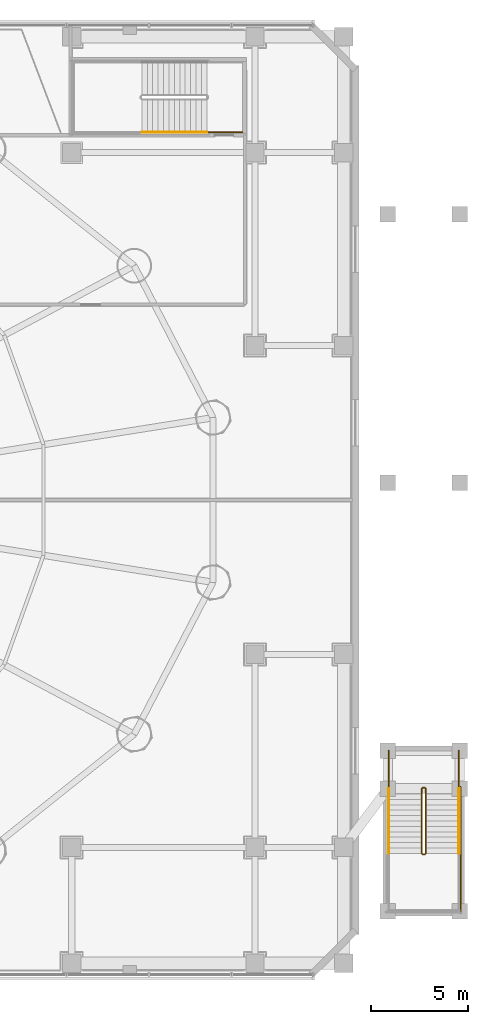
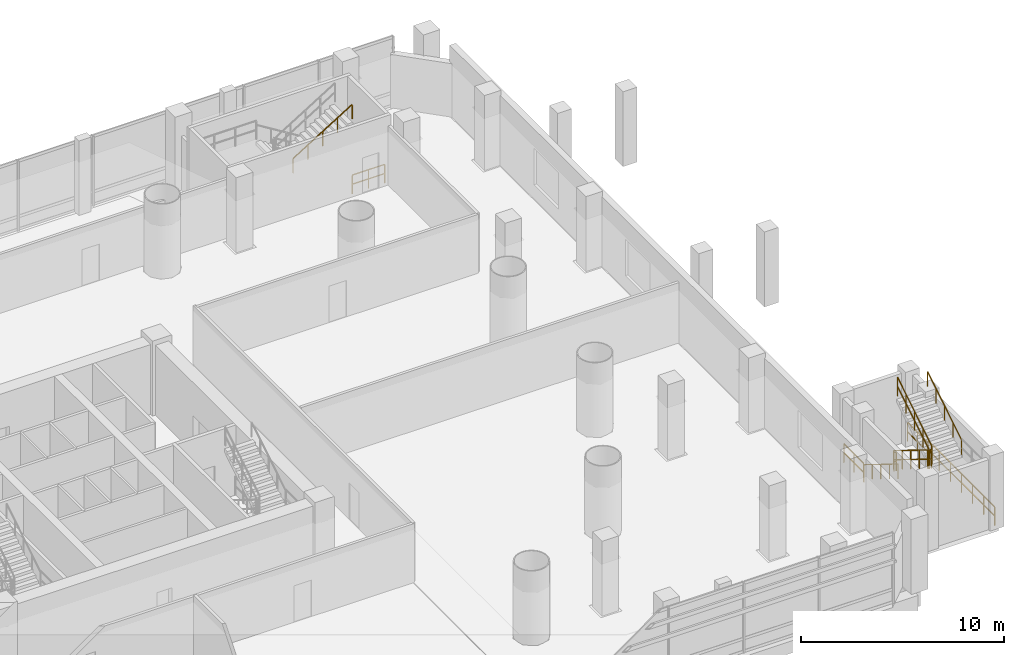
# One storey, part 35 of 36: 11 railings.
"""IFC4 building model written with IfcOpenShell, lengths in metres."""

from ifc_helpers import new_model, si_unit, direction, frame, origin, origin_2d, place, context, subcontext, project, spatial, rectangle, extrude, material, type_object, element, save


model = new_model("IFC4")

# Units and contexts
model_context = context("Model", 3, precision=1e-05, world=origin(), true_north=direction((-0.2419218956, 0.970295726276)))
body_context = subcontext(model_context, "Body", "Model", "MODEL_VIEW")
ifc_project = project(units=[si_unit("LENGTHUNIT", "METRE"), si_unit("AREAUNIT", "SQUARE_METRE"), si_unit("VOLUMEUNIT", "CUBIC_METRE"), si_unit("PLANEANGLEUNIT", "RADIAN"), si_unit("MASSUNIT", "GRAM", prefix="KILO")], contexts=[model_context])

# Site, building, storey
site_placement = place(None, origin())
site = spatial("IfcSite", under=ifc_project, at=site_placement, CompositionType="ELEMENT")
building_placement = place(site_placement, origin())
building = spatial("IfcBuilding", under=site, at=building_placement, Name="Cobrevalo Terracotta Tower", CompositionType="ELEMENT")
storey_placement = place(building_placement, frame((0.0, 0.0, 5.39990234375)))
storey = spatial("IfcBuildingStorey", under=building, at=storey_placement, Name="L01", CompositionType="ELEMENT", Elevation=5.39990234375)

# Railings
ifc_material_1 = material(Name="Brushed stainless steel", Category="steel")
railing_type_1 = type_object("IfcRailingType", Name="Stainless Steel Stair Handrail 900", PredefinedType="HANDRAIL", material=ifc_material_1)
railing_1_placement = place(storey_placement, frame((61.139892578125, 45.85009765625, 2.423095703125)))
element("IfcRailing", 1, at=railing_1_placement, inside=storey, type_object=railing_type_1, Name="L01 ST-P2 stair handrail 2", PredefinedType="HANDRAIL", context=body_context, shape_type="SweptSolid", body=[
    extrude(rectangle(XDim=0.048095703125, YDim=0.048095703125, at=origin_2d()), frame((0.0, 0.0, 0.8759765625), z_axis=(0.850623216509, 0.0, 0.525775754039), x_axis=(0.0, 1.0, 0.0)), (0.0, 0.0, 1.0), 3.9501953125),
    extrude(rectangle(XDim=0.0419921875, YDim=0.0419921875, at=origin_2d()), origin(), (0.0, 0.0, 1.0), 0.851806640625),
    extrude(rectangle(XDim=0.0419921875, YDim=0.0419921875, at=origin_2d()), frame((0.840087890625, 0.0, 0.519287109375)), (0.0, 0.0, 1.0), 0.851806640625),
    extrude(rectangle(XDim=0.0419921875, YDim=0.0419921875, at=origin_2d()), frame((1.68017578125, 0.0, 1.03857421875)), (0.0, 0.0, 1.0), 0.851806640625),
    extrude(rectangle(XDim=0.0419921875, YDim=0.0419921875, at=origin_2d()), frame((2.52001953125, 0.0, 1.5576171875)), (0.0, 0.0, 1.0), 0.851806640625),
    extrude(rectangle(XDim=0.0419921875, YDim=0.0419921875, at=origin_2d()), frame((3.360107421875, 0.0, 2.076904296875)), (0.0, 0.0, 1.0), 0.851806640625),
])
railing_2_placement = place(storey_placement, frame((73.929931640625, 11.85009765625, 0.173095703125)))
element("IfcRailing", 2, at=railing_2_placement, inside=storey, type_object=railing_type_1, Name="L01 ST-EXT-E stair handrail 1", PredefinedType="HANDRAIL", context=body_context, shape_type="SweptSolid", body=[
    extrude(rectangle(XDim=0.048095703125, YDim=0.048095703125, at=origin_2d()), frame((0.0, 0.0, 0.8759765625), z_axis=(0.0, -0.850623216509, 0.525775754039), x_axis=(1.0, 0.0, 0.0)), (0.0, 0.0, 1.0), 3.9501953125),
    extrude(rectangle(XDim=0.0419921875, YDim=0.0419921875, at=origin_2d()), origin(), (0.0, 0.0, 1.0), 0.851806640625),
    extrude(rectangle(XDim=0.0419921875, YDim=0.0419921875, at=origin_2d()), frame((0.0, -0.840087890625, 0.519287109375)), (0.0, 0.0, 1.0), 0.851806640625),
    extrude(rectangle(XDim=0.0419921875, YDim=0.0419921875, at=origin_2d()), frame((0.0, -1.68017578125, 1.03857421875)), (0.0, 0.0, 1.0), 0.851806640625),
    extrude(rectangle(XDim=0.0419921875, YDim=0.0419921875, at=origin_2d()), frame((0.0, -2.52001953125, 1.5576171875)), (0.0, 0.0, 1.0), 0.851806640625),
    extrude(rectangle(XDim=0.0419921875, YDim=0.0419921875, at=origin_2d()), frame((0.0, -3.360107421875, 2.076904296875)), (0.0, 0.0, 1.0), 0.851806640625),
])
railing_3_placement = place(storey_placement, frame((77.550048828125, 8.489990234375, 2.423095703125)))
element("IfcRailing", 3, at=railing_3_placement, inside=storey, type_object=railing_type_1, Name="L01 ST-EXT-E stair handrail 2", PredefinedType="HANDRAIL", context=body_context, shape_type="SweptSolid", body=[
    extrude(rectangle(XDim=0.048095703125, YDim=0.048095703125, at=origin_2d()), frame((0.0, 0.0, 0.8759765625), z_axis=(0.0, 0.850623216509, 0.525775754039), x_axis=(-1.0, 0.0, 0.0)), (0.0, 0.0, 1.0), 3.9501953125),
    extrude(rectangle(XDim=0.0419921875, YDim=0.0419921875, at=origin_2d()), origin(), (0.0, 0.0, 1.0), 0.851806640625),
    extrude(rectangle(XDim=0.0419921875, YDim=0.0419921875, at=origin_2d()), frame((0.0, 0.840087890625, 0.519287109375)), (0.0, 0.0, 1.0), 0.851806640625),
    extrude(rectangle(XDim=0.0419921875, YDim=0.0419921875, at=origin_2d()), frame((0.0, 1.68017578125, 1.03857421875)), (0.0, 0.0, 1.0), 0.851806640625),
    extrude(rectangle(XDim=0.0419921875, YDim=0.0419921875, at=origin_2d()), frame((0.0, 2.52001953125, 1.5576171875)), (0.0, 0.0, 1.0), 0.851806640625),
    extrude(rectangle(XDim=0.0419921875, YDim=0.0419921875, at=origin_2d()), frame((0.0, 3.360107421875, 2.076904296875)), (0.0, 0.0, 1.0), 0.851806640625),
])
ifc_material_2 = material(Name="Painted galvanized steel", Category="steel")
railing_type_2 = type_object("IfcRailingType", Name="Stair Well Guard Balustrade 1150", PredefinedType="GUARDRAIL", material=ifc_material_2)
railing_4_placement = place(storey_placement, frame((66.35009765625, 45.85009765625, 0.0)))
element("IfcRailing", 4, at=railing_4_placement, inside=storey, type_object=railing_type_2, Name="L01 ST-P2 stair guard 9", PredefinedType="GUARDRAIL", context=body_context, shape_type="SweptSolid", body=[
    extrude(rectangle(XDim=0.048095703125, YDim=0.048095703125, at=origin_2d()), frame((0.0, 0.0, 1.1259765625), z_axis=(-1.0, 0.0, 0.0), x_axis=(0.0, -1.0, 0.0)), (0.0, 0.0, 1.0), 1.85009765625),
    extrude(rectangle(XDim=0.048095703125, YDim=0.048095703125, at=origin_2d()), frame((0.0, 0.0, 0.574951171875), z_axis=(-1.0, 0.0, 0.0), x_axis=(0.0, -1.0, 0.0)), (0.0, 0.0, 1.0), 1.85009765625),
    extrude(rectangle(XDim=0.0419921875, YDim=0.0419921875, at=origin_2d()), origin(), (0.0, 0.0, 1.0), 1.101806640625),
    extrude(rectangle(XDim=0.0419921875, YDim=0.0419921875, at=origin_2d()), frame((-0.925048828125, 0.0, 0.0)), (0.0, 0.0, 1.0), 1.101806640625),
    extrude(rectangle(XDim=0.0419921875, YDim=0.0419921875, at=origin_2d()), frame((-1.85009765625, 0.0, 0.0)), (0.0, 0.0, 1.0), 1.101806640625),
])
railing_5_placement = place(storey_placement, frame((75.6298828125, 11.85009765625, 0.173095703125)))
element("IfcRailing", 5, at=railing_5_placement, inside=storey, type_object=railing_type_2, Name="L01 ST-EXT-E stair guard 1", PredefinedType="GUARDRAIL", context=body_context, shape_type="SweptSolid", body=[
    extrude(rectangle(XDim=0.048095703125, YDim=0.048095703125, at=origin_2d()), frame((0.0, 0.0, 1.1259765625), z_axis=(0.0, -0.850623216509, 0.525775754039), x_axis=(1.0, 0.0, 0.0)), (0.0, 0.0, 1.0), 3.9501953125),
    extrude(rectangle(XDim=0.048095703125, YDim=0.048095703125, at=origin_2d()), frame((0.0, 0.0, 0.574951171875), z_axis=(0.0, -0.850623216509, 0.525775754039), x_axis=(1.0, 0.0, 0.0)), (0.0, 0.0, 1.0), 3.9501953125),
    extrude(rectangle(XDim=0.0419921875, YDim=0.0419921875, at=origin_2d()), origin(), (0.0, 0.0, 1.0), 1.101806640625),
    extrude(rectangle(XDim=0.0419921875, YDim=0.0419921875, at=origin_2d()), frame((0.0, -0.840087890625, 0.519287109375)), (0.0, 0.0, 1.0), 1.101806640625),
    extrude(rectangle(XDim=0.0419921875, YDim=0.0419921875, at=origin_2d()), frame((0.0, -1.68017578125, 1.03857421875)), (0.0, 0.0, 1.0), 1.101806640625),
    extrude(rectangle(XDim=0.0419921875, YDim=0.0419921875, at=origin_2d()), frame((0.0, -2.52001953125, 1.5576171875)), (0.0, 0.0, 1.0), 1.101806640625),
    extrude(rectangle(XDim=0.0419921875, YDim=0.0419921875, at=origin_2d()), frame((0.0, -3.360107421875, 2.076904296875)), (0.0, 0.0, 1.0), 1.101806640625),
])
railing_6_placement = place(storey_placement, frame((75.679931640625, 8.43994140625, 2.25)))
element("IfcRailing", 6, at=railing_6_placement, inside=storey, type_object=railing_type_2, Name="L01 ST-EXT-E stair guard 2", PredefinedType="GUARDRAIL", context=body_context, shape_type="SweptSolid", body=[
    extrude(rectangle(XDim=0.048095703125, YDim=0.048095703125, at=origin_2d()), frame((0.0, 0.0, 1.1259765625), z_axis=(1.0, 0.0, 0.0), x_axis=(0.0, 1.0, 0.0)), (0.0, 0.0, 1.0), 0.1201171875),
    extrude(rectangle(XDim=0.048095703125, YDim=0.048095703125, at=origin_2d()), frame((0.0, 0.0, 0.574951171875), z_axis=(1.0, 0.0, 0.0), x_axis=(0.0, 1.0, 0.0)), (0.0, 0.0, 1.0), 0.1201171875),
    extrude(rectangle(XDim=0.0419921875, YDim=0.0419921875, at=origin_2d()), origin(), (0.0, 0.0, 1.0), 1.101806640625),
    extrude(rectangle(XDim=0.0419921875, YDim=0.0419921875, at=origin_2d()), frame((0.1201171875, 0.0, 0.0)), (0.0, 0.0, 1.0), 1.101806640625),
])
railing_7_placement = place(storey_placement, frame((75.85009765625, 8.489990234375, 2.423095703125)))
element("IfcRailing", 7, at=railing_7_placement, inside=storey, type_object=railing_type_2, Name="L01 ST-EXT-E stair guard 6", PredefinedType="GUARDRAIL", context=body_context, shape_type="SweptSolid", body=[
    extrude(rectangle(XDim=0.048095703125, YDim=0.048095703125, at=origin_2d()), frame((0.0, 0.0, 1.1259765625), z_axis=(0.0, 0.850623216509, 0.525775754039), x_axis=(-1.0, 0.0, 0.0)), (0.0, 0.0, 1.0), 3.9501953125),
    extrude(rectangle(XDim=0.048095703125, YDim=0.048095703125, at=origin_2d()), frame((0.0, 0.0, 0.574951171875), z_axis=(0.0, 0.850623216509, 0.525775754039), x_axis=(-1.0, 0.0, 0.0)), (0.0, 0.0, 1.0), 3.9501953125),
    extrude(rectangle(XDim=0.0419921875, YDim=0.0419921875, at=origin_2d()), origin(), (0.0, 0.0, 1.0), 1.101806640625),
    extrude(rectangle(XDim=0.0419921875, YDim=0.0419921875, at=origin_2d()), frame((0.0, 0.840087890625, 0.519287109375)), (0.0, 0.0, 1.0), 1.101806640625),
    extrude(rectangle(XDim=0.0419921875, YDim=0.0419921875, at=origin_2d()), frame((0.0, 1.68017578125, 1.03857421875)), (0.0, 0.0, 1.0), 1.101806640625),
    extrude(rectangle(XDim=0.0419921875, YDim=0.0419921875, at=origin_2d()), frame((0.0, 2.52001953125, 1.5576171875)), (0.0, 0.0, 1.0), 1.101806640625),
    extrude(rectangle(XDim=0.0419921875, YDim=0.0419921875, at=origin_2d()), frame((0.0, 3.360107421875, 2.076904296875)), (0.0, 0.0, 1.0), 1.101806640625),
])
railing_8_placement = place(storey_placement, frame((75.679931640625, 11.89990234375, 0.0)))
element("IfcRailing", 8, at=railing_8_placement, inside=storey, type_object=railing_type_2, Name="L01 ST-EXT-E stair guard 7", PredefinedType="GUARDRAIL", context=body_context, shape_type="SweptSolid", body=[
    extrude(rectangle(XDim=0.048095703125, YDim=0.048095703125, at=origin_2d()), frame((0.0, 0.0, 1.1259765625), z_axis=(1.0, 0.0, 0.0), x_axis=(0.0, 1.0, 0.0)), (0.0, 0.0, 1.0), 0.1201171875),
    extrude(rectangle(XDim=0.048095703125, YDim=0.048095703125, at=origin_2d()), frame((0.0, 0.0, 0.574951171875), z_axis=(1.0, 0.0, 0.0), x_axis=(0.0, 1.0, 0.0)), (0.0, 0.0, 1.0), 0.1201171875),
    extrude(rectangle(XDim=0.0419921875, YDim=0.0419921875, at=origin_2d()), origin(), (0.0, 0.0, 1.0), 1.101806640625),
    extrude(rectangle(XDim=0.0419921875, YDim=0.0419921875, at=origin_2d()), frame((0.1201171875, 0.0, 0.0)), (0.0, 0.0, 1.0), 1.101806640625),
])
for number, where, name in (
    (9, (73.929931640625, 13.800048828125, 0.0), "L01 ST-EXT-E stair guard 8"),
    (10, (77.550048828125, 13.800048828125, 0.0), "L01 ST-EXT-E stair guard 9"),
):
    element("IfcRailing", number, at=place(storey_placement, frame(where)), inside=storey, type_object=railing_type_2, Name=name, PredefinedType="GUARDRAIL", context=body_context, shape_type="SweptSolid", body=[
        extrude(rectangle(XDim=0.048095703125, YDim=0.048095703125, at=origin_2d()), frame((0.0, 0.0, 1.1259765625), z_axis=(0.0, -1.0, 0.0), x_axis=(1.0, 0.0, 0.0)), (0.0, 0.0, 1.0), 1.949951171875),
        extrude(rectangle(XDim=0.048095703125, YDim=0.048095703125, at=origin_2d()), frame((0.0, 0.0, 0.574951171875), z_axis=(0.0, -1.0, 0.0), x_axis=(1.0, 0.0, 0.0)), (0.0, 0.0, 1.0), 1.949951171875),
        extrude(rectangle(XDim=0.0419921875, YDim=0.0419921875, at=origin_2d()), origin(), (0.0, 0.0, 1.0), 1.101806640625),
        extrude(rectangle(XDim=0.0419921875, YDim=0.0419921875, at=origin_2d()), frame((0.0, -0.97509765625, 0.0)), (0.0, 0.0, 1.0), 1.101806640625),
        extrude(rectangle(XDim=0.0419921875, YDim=0.0419921875, at=origin_2d()), frame((0.0, -1.949951171875, 0.0)), (0.0, 0.0, 1.0), 1.101806640625),
    ])
railing_9_placement = place(storey_placement, frame((77.64990234375, 11.949951171875, 0.0)))
element("IfcRailing", 11, at=railing_9_placement, inside=storey, type_object=railing_type_2, Name="L01 ST-EXT-E stair guard 11", PredefinedType="GUARDRAIL", context=body_context, shape_type="SweptSolid", body=[
    extrude(rectangle(XDim=0.048095703125, YDim=0.048095703125, at=origin_2d()), frame((0.0, 0.0, 1.1259765625), z_axis=(0.0, -1.0, 0.0), x_axis=(1.0, 0.0, 0.0)), (0.0, 0.0, 1.0), 6.550048828125),
    extrude(rectangle(XDim=0.048095703125, YDim=0.048095703125, at=origin_2d()), frame((0.0, 0.0, 0.574951171875), z_axis=(0.0, -1.0, 0.0), x_axis=(1.0, 0.0, 0.0)), (0.0, 0.0, 1.0), 6.550048828125),
    extrude(rectangle(XDim=0.0419921875, YDim=0.0419921875, at=origin_2d()), origin(), (0.0, 0.0, 1.0), 1.101806640625),
    extrude(rectangle(XDim=0.0419921875, YDim=0.0419921875, at=origin_2d()), frame((0.0, -1.091796875, 0.0)), (0.0, 0.0, 1.0), 1.101806640625),
    extrude(rectangle(XDim=0.0419921875, YDim=0.0419921875, at=origin_2d()), frame((0.0, -2.183349609375, 0.0)), (0.0, 0.0, 1.0), 1.101806640625),
    extrude(rectangle(XDim=0.0419921875, YDim=0.0419921875, at=origin_2d()), frame((0.0, -3.27490234375, 0.0)), (0.0, 0.0, 1.0), 1.101806640625),
    extrude(rectangle(XDim=0.0419921875, YDim=0.0419921875, at=origin_2d()), frame((0.0, -4.36669921875, 0.0)), (0.0, 0.0, 1.0), 1.101806640625),
    extrude(rectangle(XDim=0.0419921875, YDim=0.0419921875, at=origin_2d()), frame((0.0, -5.45849609375, 0.0)), (0.0, 0.0, 1.0), 1.101806640625),
    extrude(rectangle(XDim=0.0419921875, YDim=0.0419921875, at=origin_2d()), frame((0.0, -6.550048828125, 0.0)), (0.0, 0.0, 1.0), 1.101806640625),
])

save(model, "model.ifc")
